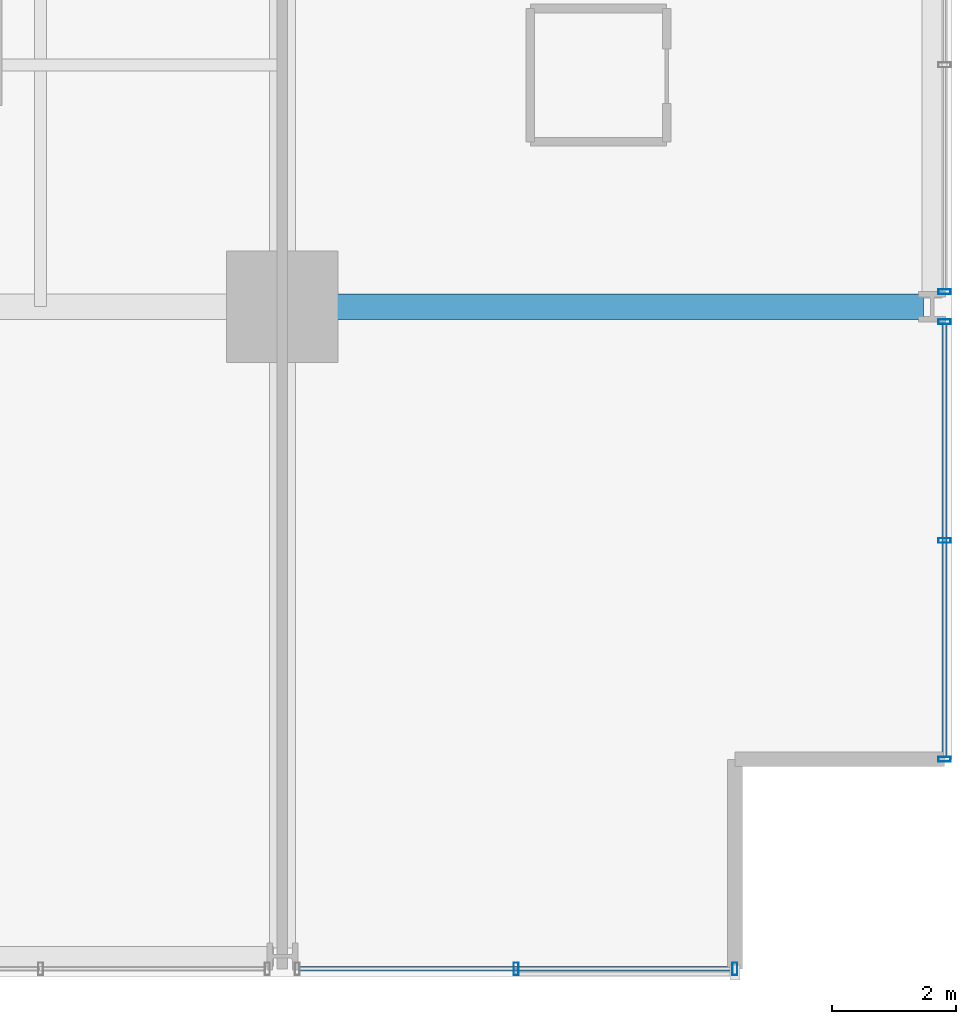
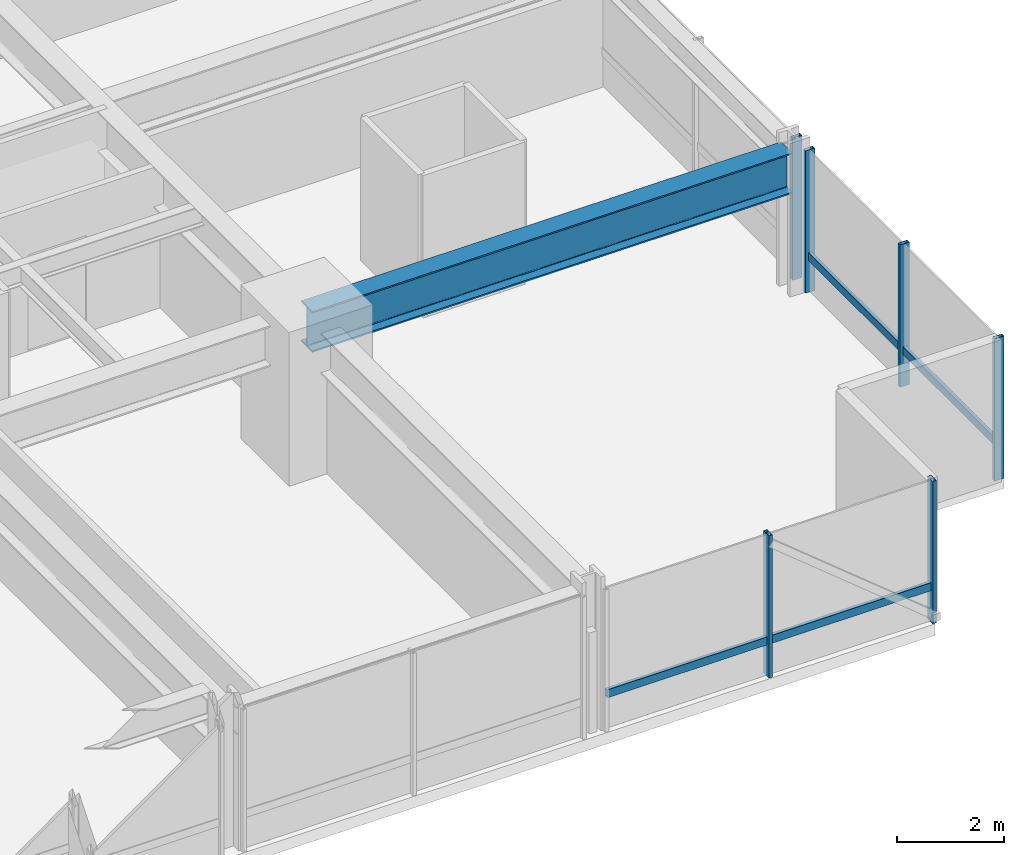
# One storey, part 13 of 39: 8 members, 1 beam, 3 elements without a shape of their own.
"""IFC4 building model written with IfcOpenShell, lengths in metres."""

from ifc_helpers import new_model, si_unit, direction, frame, origin, origin_2d, place, context, subcontext, project, spatial, hollow_rectangle, i_section, extrude, material, layer, layer_set, material_profile, profile_set, type_object, element, aggregate, save


model = new_model("IFC4")

# Units and contexts
model_context = context("Model", 3, precision=1e-05, world=origin(), true_north=direction((0.0, 1.0)))
body_context = subcontext(model_context, "Body", "Model", "MODEL_VIEW")
ifc_project = project(units=[si_unit("LENGTHUNIT", "METRE"), si_unit("AREAUNIT", "SQUARE_METRE"), si_unit("VOLUMEUNIT", "CUBIC_METRE"), si_unit("PLANEANGLEUNIT", "RADIAN"), si_unit("MASSUNIT", "GRAM", prefix="KILO")], contexts=[model_context])

# Site, building, storey
site_placement = place(None, origin())
site = spatial("IfcSite", under=ifc_project, at=site_placement, CompositionType="ELEMENT")
building_placement = place(site_placement, origin())
building = spatial("IfcBuilding", under=site, at=building_placement, Name="Drelvath Grand Hotel", CompositionType="ELEMENT")
storey_placement = place(building_placement, frame((0.0, 0.0, 54.199951171875)))
storey = spatial("IfcBuildingStorey", under=building, at=storey_placement, Name="L12", CompositionType="ELEMENT", Elevation=54.199951171875)

# Curtain wall, member
ifc_material_1 = material(Name="Warm Bronze Anodised Aluminium Frame", Category="aluminium")
ifc_layer = layer(ifc_material_1, 0.199951171875)
ifc_layer_set = layer_set([ifc_layer], Name="Warm Bronze Anodised Aluminium Frame")
curtain_wall_type = type_object("IfcCurtainWallType", Name="Stick Curtain Wall CW-02 Warm Bronze Low-Rise", PredefinedType="NOTDEFINED", material=ifc_layer_set)
curtain_wall_1_placement = place(storey_placement, origin())
curtain_wall_1 = element("IfcCurtainWall", 1, at=curtain_wall_1_placement, inside=storey, type_object=curtain_wall_type, Name="L12 CW-02 Curtain Wall CW02-L12-ES1", PredefinedType="NOTDEFINED")
ifc_material_profile_1 = material_profile(ifc_material_1, hollow_rectangle(XDim=0.074951171875, YDim=0.179931640625, WallThickness=0.0048828125, at=origin_2d()), Name="HSS180X75X5")
ifc_profile_set_1 = profile_set([ifc_material_profile_1], Name="Warm Bronze Anodised Aluminium Frame")
member_type_1 = type_object("IfcMemberType", Name="Curtain Wall Horizontal Transom CW-02 HSS180X75X5", PredefinedType="USERDEFINED", material=ifc_profile_set_1)
member_1_placement = place(storey_placement, frame((26.8798828125, 10.51904296875, 0.81005859375), z_axis=(0.0, -1.0, 0.0), x_axis=(1.0, 0.0, 0.0)))
member_1 = element("IfcMember", 2, at=member_1_placement, type_object=member_type_1, Name="CW02-L12-ES1 Sill Transom", ObjectType="TRANSOM", PredefinedType="USERDEFINED", context=body_context, shape_type="SweptSolid", body=[
    extrude(hollow_rectangle(XDim=0.074951171875, YDim=0.179931640625, WallThickness=0.0048828125, at=origin_2d()), origin(), (0.0, 0.0, 1.0), 6.97900390625),
])

curtain_wall_2_placement = place(storey_placement, origin())
curtain_wall_2 = element("IfcCurtainWall", 3, at=curtain_wall_2_placement, inside=storey, type_object=curtain_wall_type, Name="L12 CW-02 Curtain Wall CW02-L12-SE3", PredefinedType="NOTDEFINED")
member_2_placement = place(storey_placement, frame((23.4599609375, 0.1201171875, 0.81005859375), z_axis=(-1.0, 0.0, 0.0), x_axis=(0.0, -1.0, 0.0)))
member_2 = element("IfcMember", 4, at=member_2_placement, type_object=member_type_1, Name="CW02-L12-SE3 Sill Transom", ObjectType="TRANSOM", PredefinedType="USERDEFINED", context=body_context, shape_type="SweptSolid", body=[
    extrude(hollow_rectangle(XDim=0.074951171875, YDim=0.179931640625, WallThickness=0.0048828125, at=origin_2d()), origin(), (0.0, 0.0, 1.0), 6.97900390625),
])

# Member
ifc_material_profile_2 = material_profile(ifc_material_1, hollow_rectangle(XDim=0.080078125, YDim=0.199951171875, WallThickness=0.0048828125, at=origin_2d()), Name="HSS200X80X5")
ifc_profile_set_2 = profile_set([ifc_material_profile_2], Name="Warm Bronze Anodised Aluminium Frame")
member_type_2 = type_object("IfcMemberType", Name="Curtain Wall Vertical Mullion CW-02 HSS200X80X5", PredefinedType="MULLION", material=ifc_profile_set_2)
member_3_placement = place(storey_placement, frame((26.8798828125, 10.55908203125, 0.0), z_axis=(0.0, 0.0, 1.0), x_axis=(0.0, 1.0, 0.0)))
member_3 = element("IfcMember", 5, at=member_3_placement, type_object=member_type_2, Name="CW02-L12-ES1 Mullion 1", PredefinedType="MULLION", context=body_context, shape_type="SweptSolid", body=[
    extrude(hollow_rectangle(XDim=0.080078125, YDim=0.199951171875, WallThickness=0.0048828125, at=origin_2d()), origin(), (0.0, 0.0, 1.0), 3.239990234375),
])

member_4_placement = place(storey_placement, frame((26.8798828125, 7.029541015625, 0.0), z_axis=(0.0, 0.0, 1.0), x_axis=(0.0, 1.0, 0.0)))
member_4 = element("IfcMember", 6, at=member_4_placement, type_object=member_type_2, Name="CW02-L12-ES1 Mullion 2", PredefinedType="MULLION", context=body_context, shape_type="SweptSolid", body=[
    extrude(hollow_rectangle(XDim=0.080078125, YDim=0.199951171875, WallThickness=0.0048828125, at=origin_2d()), origin(), (0.0, 0.0, 1.0), 3.239990234375),
])

member_5_placement = place(storey_placement, frame((26.8798828125, 3.5, 0.0), z_axis=(0.0, 0.0, 1.0), x_axis=(0.0, 1.0, 0.0)))
member_5 = element("IfcMember", 7, at=member_5_placement, type_object=member_type_2, Name="CW02-L12-ES1 Mullion 3", PredefinedType="MULLION", context=body_context, shape_type="SweptSolid", body=[
    extrude(hollow_rectangle(XDim=0.080078125, YDim=0.199951171875, WallThickness=0.0048828125, at=origin_2d()), origin(), (0.0, 0.0, 1.0), 3.239990234375),
])

aggregate(curtain_wall_1, [member_3, member_4, member_5, member_1])

# Curtain wall, member
curtain_wall_3_placement = place(storey_placement, origin())
curtain_wall_3 = element("IfcCurtainWall", 8, at=curtain_wall_3_placement, inside=storey, type_object=curtain_wall_type, Name="L12 CW-02 Curtain Wall CW02-L12-ES2", PredefinedType="NOTDEFINED")
member_6_placement = place(storey_placement, frame((26.8798828125, 11.041015625, 0.0), z_axis=(0.0, 0.0, 1.0), x_axis=(0.0, 1.0, 0.0)))
member_6 = element("IfcMember", 9, at=member_6_placement, type_object=member_type_2, Name="CW02-L12-ES2 Mullion 3", PredefinedType="MULLION", context=body_context, shape_type="SweptSolid", body=[
    extrude(hollow_rectangle(XDim=0.080078125, YDim=0.199951171875, WallThickness=0.0048828125, at=origin_2d()), origin(), (0.0, 0.0, 1.0), 3.239990234375),
])
aggregate(curtain_wall_3, [member_6])

# Member
member_7_placement = place(storey_placement, frame((23.5, 0.1201171875, 0.0), z_axis=(0.0, 0.0, 1.0), x_axis=(1.0, 0.0, 0.0)))
member_7 = element("IfcMember", 10, at=member_7_placement, type_object=member_type_2, Name="CW02-L12-SE3 Mullion 1", PredefinedType="MULLION", context=body_context, shape_type="SweptSolid", body=[
    extrude(hollow_rectangle(XDim=0.080078125, YDim=0.199951171875, WallThickness=0.0048828125, at=origin_2d()), origin(), (0.0, 0.0, 1.0), 3.239990234375),
])

member_8_placement = place(storey_placement, frame((19.970458984375, 0.1201171875, 0.0), z_axis=(0.0, 0.0, 1.0), x_axis=(1.0, 0.0, 0.0)))
member_8 = element("IfcMember", 11, at=member_8_placement, type_object=member_type_2, Name="CW02-L12-SE3 Mullion 2", PredefinedType="MULLION", context=body_context, shape_type="SweptSolid", body=[
    extrude(hollow_rectangle(XDim=0.080078125, YDim=0.199951171875, WallThickness=0.0048828125, at=origin_2d()), origin(), (0.0, 0.0, 1.0), 3.239990234375),
])

aggregate(curtain_wall_2, [member_7, member_8, member_2])

# Beam
ifc_material_2 = material(Name="Steel ASTM A992 Gr 50", Category="steel")
ifc_material_profile_3 = material_profile(ifc_material_2, i_section(OverallWidth=0.418212890625, OverallDepth=0.926513671875, WebThickness=0.019287109375, FlangeThickness=0.031982421875, FilletRadius=0.028076171875, at=origin_2d()), Name="W36X231")
ifc_profile_set_3 = profile_set([ifc_material_profile_3], Name="Steel ASTM A992 Gr 50")
beam_type = type_object("IfcBeamType", Name="Primary Floor Girder W36X231", PredefinedType="BEAM", material=ifc_profile_set_3)
beam_placement = place(storey_placement, frame((16.199951171875, 10.800048828125, 2.77685546875), z_axis=(1.0, 0.0, 0.0), x_axis=(0.0, 1.0, 0.0)))
element("IfcBeam", 12, at=beam_placement, inside=storey, type_object=beam_type, Name="L12 East Grid Girder C", PredefinedType="BEAM", context=body_context, shape_type="SweptSolid", body=[
    extrude(i_section(OverallWidth=0.418212890625, OverallDepth=0.926513671875, WebThickness=0.019287109375, FlangeThickness=0.031982421875, FilletRadius=0.028076171875, at=origin_2d()), origin(), (0.0, 0.0, 1.0), 10.340087890625),
])

save(model, "model.ifc")
